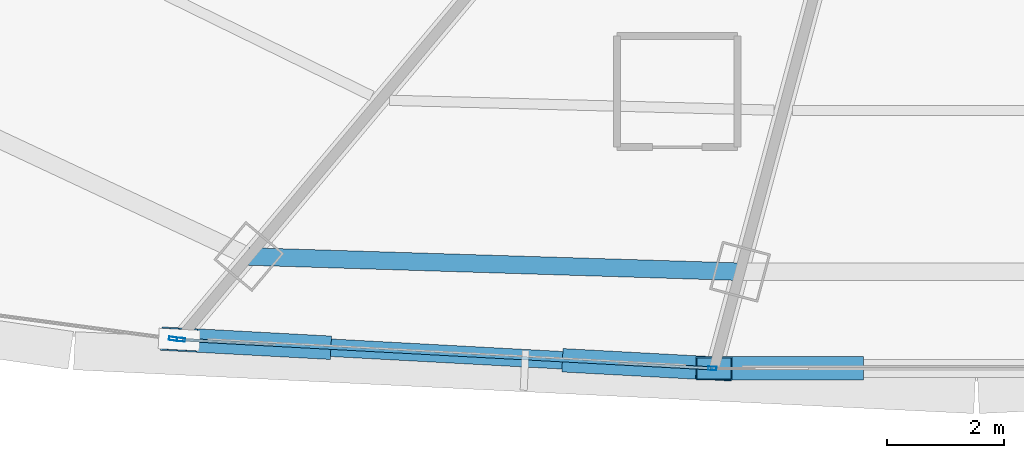
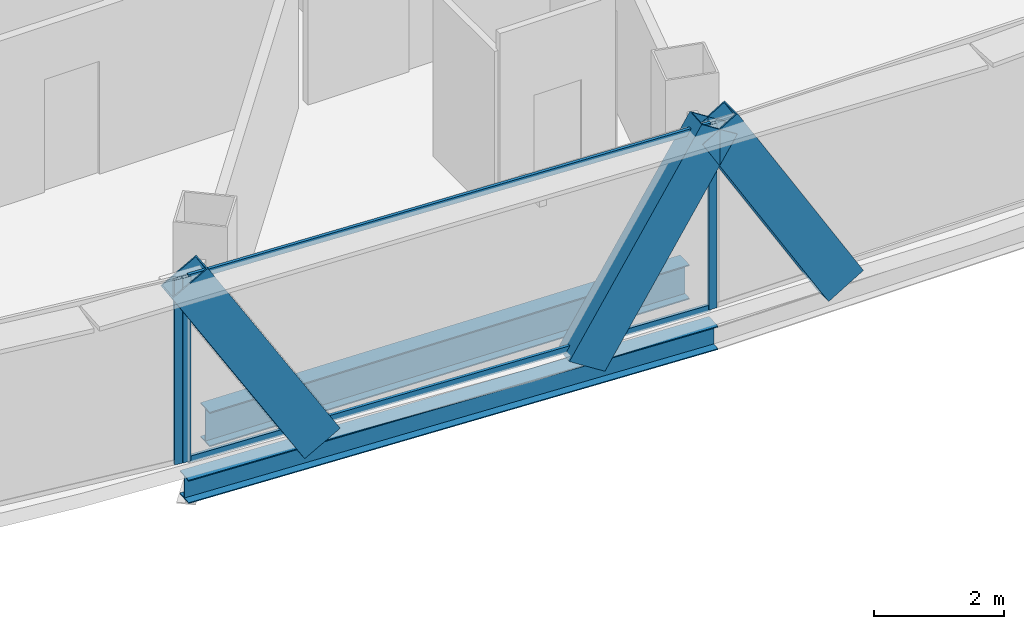
# One storey, part 6 of 37: 8 members, 2 beams, 2 elements without a shape of their own.
"""IFC4 building model written with IfcOpenShell, lengths in metres."""

from ifc_helpers import new_model, si_unit, direction, frame, origin, origin_2d, place, context, subcontext, project, spatial, hollow_rectangle, i_section, extrude, source, transform, mapped, material, layer, layer_set, material_profile, profile_set, type_object, element, aggregate, save


model = new_model("IFC4")

# Units and contexts
model_context = context("Model", 3, precision=1e-05, world=origin(), true_north=direction((0.0, 1.0)))
body_context = subcontext(model_context, "Body", "Model", "MODEL_VIEW")
ifc_project = project(units=[si_unit("LENGTHUNIT", "METRE"), si_unit("AREAUNIT", "SQUARE_METRE"), si_unit("VOLUMEUNIT", "CUBIC_METRE"), si_unit("PLANEANGLEUNIT", "RADIAN"), si_unit("MASSUNIT", "GRAM", prefix="KILO"), si_unit("THERMODYNAMICTEMPERATUREUNIT", "KELVIN"), si_unit("POWERUNIT", "WATT")], contexts=[model_context])

# Site, building, storey
site_placement = place(None, origin())
site = spatial("IfcSite", under=ifc_project, at=site_placement, CompositionType="ELEMENT")
building_placement = place(site_placement, origin())
building = spatial("IfcBuilding", under=site, at=building_placement, Name="Yunzhuo Pagoda Commons", CompositionType="ELEMENT")
storey_placement = place(building_placement, frame((0.0, 0.0, 251.989990234375)))
storey = spatial("IfcBuildingStorey", under=building, at=storey_placement, Name="L63", CompositionType="ELEMENT", Elevation=251.989990234375)

# Beams
ifc_material_1 = material(Name="Structural steel Q355B", Category="steel")
ifc_material_profile_1 = material_profile(ifc_material_1, i_section(OverallWidth=0.300048828125, OverallDepth=0.64990234375, WebThickness=0.012939453125, FlangeThickness=0.02197265625, at=origin_2d()), Name="Structural steel Q355B")
ifc_profile_set_1 = profile_set([ifc_material_profile_1], Name="Structural steel Q355B")
beam_type_1 = type_object("IfcBeamType", Name="B-RG2 Beam HN 650x300x13x22", PredefinedType="BEAM", material=ifc_profile_set_1)
shared_shape_1 = source(origin(), body_context, "Body", "SweptSolid", [
    extrude(i_section(OverallWidth=0.300048828125, OverallDepth=0.64990234375, WebThickness=0.012939453125, FlangeThickness=0.02197265625, at=origin_2d()), origin(), (0.0, 0.0, 1.0), 8.37939453125),
])
beam_1_placement = place(storey_placement, frame((35.593017578125, 18.913818359375, -0.5849609375), z_axis=(0.999519382133, -0.031000076447, 0.0), x_axis=(0.031000076447, 0.999519382133, 0.0)))
element("IfcBeam", 1, at=beam_1_placement, inside=storey, type_object=beam_type_1, Name="L63 column-ring beam 1", PredefinedType="BEAM", context=body_context, shape_type="MappedRepresentation", body=[
    mapped(shared_shape_1, transform((0.0, 0.0, 0.0), scale=1.0)),
])
ifc_material_profile_2 = material_profile(ifc_material_1, i_section(OverallWidth=0.300048828125, OverallDepth=0.43994140625, WebThickness=0.010986328125, FlangeThickness=0.01806640625, at=origin_2d()), Name="Structural steel Q355B")
ifc_profile_set_2 = profile_set([ifc_material_profile_2], Name="Structural steel Q355B")
beam_type_2 = type_object("IfcBeamType", Name="B-SP2 Beam HM 440x300x11x18", PredefinedType="BEAM", material=ifc_profile_set_2)
shared_shape_2 = source(origin(), body_context, "Body", "SweptSolid", [
    extrude(i_section(OverallWidth=0.300048828125, OverallDepth=0.43994140625, WebThickness=0.010986328125, FlangeThickness=0.01806640625, at=origin_2d()), origin(), (0.0, 0.0, 1.0), 9.13525390625),
])
beam_2_placement = place(storey_placement, frame((34.404541015625, 17.49755859375, -0.47998046875), z_axis=(0.99854316853, -0.053958693286, 0.0), x_axis=(0.053958693286, 0.99854316853, 0.0)))
element("IfcBeam", 2, at=beam_2_placement, inside=storey, type_object=beam_type_2, Name="L63 facade edge spandrel beam F1.1", PredefinedType="BEAM", context=body_context, shape_type="MappedRepresentation", body=[
    mapped(shared_shape_2, transform((0.0, 0.0, 0.0), scale=1.0)),
])

# Members
ifc_material_profile_3 = material_profile(ifc_material_1, hollow_rectangle(XDim=0.39990234375, YDim=0.719970703125, WallThickness=0.02392578125, at=origin_2d()), Name="Structural steel Q355B")
ifc_profile_set_3 = profile_set([ifc_material_profile_3], Name="Structural steel Q355B")
member_type_1 = type_object("IfcMemberType", Name="M-DL2 Brace BOX 720x400x24", PredefinedType="BRACE", material=ifc_profile_set_3)
shared_shape_3 = source(origin(), body_context, "Body", "SweptSolid", [
    extrude(hollow_rectangle(XDim=0.39990234375, YDim=0.719970703125, WallThickness=0.02392578125, at=origin_2d()), origin(), (0.0, 0.0, 1.0), 4.37353515625),
])
for number, where, z_axis, x_axis, name in (
    (3, (36.68505859375, 17.374267578125, -0.259765625), (-0.521448228754, 0.028190916981, 0.852817106377), (-0.053983900233, -0.998541806093, 0.0), "L63 facade diamond brace F1.1L"),
    (4, (41.245849609375, 17.1279296875, -0.259765625), (0.521448228754, -0.028190916981, 0.852817106377), (0.053983900233, 0.998541806093, 0.0), "L63 facade diamond brace F1.1R"),
):
    element("IfcMember", number, at=place(storey_placement, frame(where, z_axis=z_axis, x_axis=x_axis)), inside=storey, type_object=member_type_1, Name=name, PredefinedType="BRACE", context=body_context, shape_type="MappedRepresentation", body=[
        mapped(shared_shape_3, transform((0.0, 0.0, 0.0), scale=1.0)),
    ])
shared_shape_4 = source(origin(), body_context, "Body", "SweptSolid", [
    extrude(hollow_rectangle(XDim=0.39990234375, YDim=0.719970703125, WallThickness=0.02392578125, at=origin_2d()), origin(), (0.0, 0.0, 1.0), 4.34912109375),
])
member_1_placement = place(storey_placement, frame((45.76318359375, 17.004638671875, -0.259765625), z_axis=(-0.51432238227, 0.0, 0.857596925774), x_axis=(0.0, -1.0, 0.0)))
element("IfcMember", 5, at=member_1_placement, inside=storey, type_object=member_type_1, Name="L63 facade diamond brace F1.2L", PredefinedType="BRACE", context=body_context, shape_type="MappedRepresentation", body=[
    mapped(shared_shape_4, transform((0.0, 0.0, 0.0), scale=1.0)),
])

# Curtain wall, members
ifc_material_2 = material(Name="Anodized aluminium 6063-T6", Category="aluminium")
ifc_layer = layer(ifc_material_2, 0.139892578125)
ifc_layer_set = layer_set([ifc_layer], Name="Anodized aluminium 6063-T6")
curtain_wall_type = type_object("IfcCurtainWallType", Name="CW-HI High-Zone Ribbon Curtain Wall", PredefinedType="NOTDEFINED", material=ifc_layer_set)
curtain_wall_1_placement = place(storey_placement, origin())
curtain_wall_1 = element("IfcCurtainWall", 6, at=curtain_wall_1_placement, inside=storey, type_object=curtain_wall_type, Name="L63 curtain wall CW-L63-F1B2", PredefinedType="NOTDEFINED")
ifc_material_profile_4 = material_profile(ifc_material_2, hollow_rectangle(XDim=0.06005859375, YDim=0.139892578125, WallThickness=0.00341796875, at=origin_2d()), Name="Anodized aluminium 6063-T6")
ifc_profile_set_4 = profile_set([ifc_material_profile_4], Name="Anodized aluminium 6063-T6")
member_type_2 = type_object("IfcMemberType", Name="CW-HI-M Mullion RHS 140x60x3.5", PredefinedType="MULLION", material=ifc_profile_set_4)
shared_shape_5 = source(origin(), body_context, "Body", "SweptSolid", [
    extrude(hollow_rectangle(XDim=0.06005859375, YDim=0.139892578125, WallThickness=0.00341796875, at=origin_2d()), origin(), (0.0, 0.0, 1.0), 3.469970703125),
])
member_2_placement = place(storey_placement, frame((34.4345703125, 17.495849609375, 0.0), z_axis=(0.0, 0.0, 1.0), x_axis=(0.053988827702, 0.998541539688, 0.0)))
member_2 = element("IfcMember", 7, at=member_2_placement, type_object=member_type_2, Name="CW mullion 1", PredefinedType="MULLION", context=body_context, shape_type="MappedRepresentation", body=[
    mapped(shared_shape_5, transform((0.0, 0.0, 0.0), scale=1.0)),
])
member_3_placement = place(storey_placement, frame((43.496337890625, 17.005859375, 0.0), z_axis=(0.0, 0.0, 1.0), x_axis=(0.053988827702, 0.998541539688, 0.0)))
member_3 = element("IfcMember", 8, at=member_3_placement, type_object=member_type_2, Name="CW mullion 2", PredefinedType="MULLION", context=body_context, shape_type="MappedRepresentation", body=[
    mapped(shared_shape_5, transform((0.0, 0.0, 0.0), scale=1.0)),
])

# Curtain wall, member
curtain_wall_2_placement = place(storey_placement, origin())
curtain_wall_2 = element("IfcCurtainWall", 9, at=curtain_wall_2_placement, inside=storey, type_object=curtain_wall_type, Name="L63 curtain wall CW-L63-F1B1", PredefinedType="NOTDEFINED")
member_4_placement = place(storey_placement, frame((34.300537109375, 17.511474609375, 0.0), z_axis=(0.0, 0.0, 1.0), x_axis=(0.132663916926, 0.991161079314, 0.0)))
member_4 = element("IfcMember", 10, at=member_4_placement, type_object=member_type_2, Name="CW mullion 2", PredefinedType="MULLION", context=body_context, shape_type="MappedRepresentation", body=[
    mapped(shared_shape_5, transform((0.0, 0.0, 0.0), scale=1.0)),
])
aggregate(curtain_wall_2, [member_4])

# Member
ifc_material_profile_5 = material_profile(ifc_material_2, hollow_rectangle(XDim=0.054931640625, YDim=0.1201171875, WallThickness=0.00341796875, at=origin_2d()), Name="Anodized aluminium 6063-T6")
ifc_profile_set_5 = profile_set([ifc_material_profile_5], Name="Anodized aluminium 6063-T6")
member_type_3 = type_object("IfcMemberType", Name="CW-HI-T Transom RHS 120x55x3.5", PredefinedType="USERDEFINED", material=ifc_profile_set_5)
shared_shape_6 = source(origin(), body_context, "Body", "SweptSolid", [
    extrude(hollow_rectangle(XDim=0.054931640625, YDim=0.1201171875, WallThickness=0.00341796875, at=origin_2d()), origin(), (0.0, 0.0, 1.0), 9.01513671875),
])
member_5_placement = place(storey_placement, frame((34.464599609375, 17.494140625, 0.027587890625), z_axis=(0.99854239162, -0.053973068629, 0.0), x_axis=(0.053973068629, 0.99854239162, 0.0)))
member_5 = element("IfcMember", 11, at=member_5_placement, type_object=member_type_3, Name="CW transom 1.1", ObjectType="TRANSOM", PredefinedType="USERDEFINED", context=body_context, shape_type="MappedRepresentation", body=[
    mapped(shared_shape_6, transform((0.0, 0.0, 0.0), scale=1.0)),
])

member_6_placement = place(storey_placement, frame((34.464599609375, 17.494140625, 3.442626953125), z_axis=(0.99854239162, -0.053973068629, 0.0), x_axis=(0.053973068629, 0.99854239162, 0.0)))
member_6 = element("IfcMember", 12, at=member_6_placement, type_object=member_type_3, Name="CW transom 1.2", ObjectType="TRANSOM", PredefinedType="USERDEFINED", context=body_context, shape_type="MappedRepresentation", body=[
    mapped(shared_shape_6, transform((0.0, 0.0, 0.0), scale=1.0)),
])

aggregate(curtain_wall_1, [member_2, member_3, member_5, member_6])

save(model, "model.ifc")
